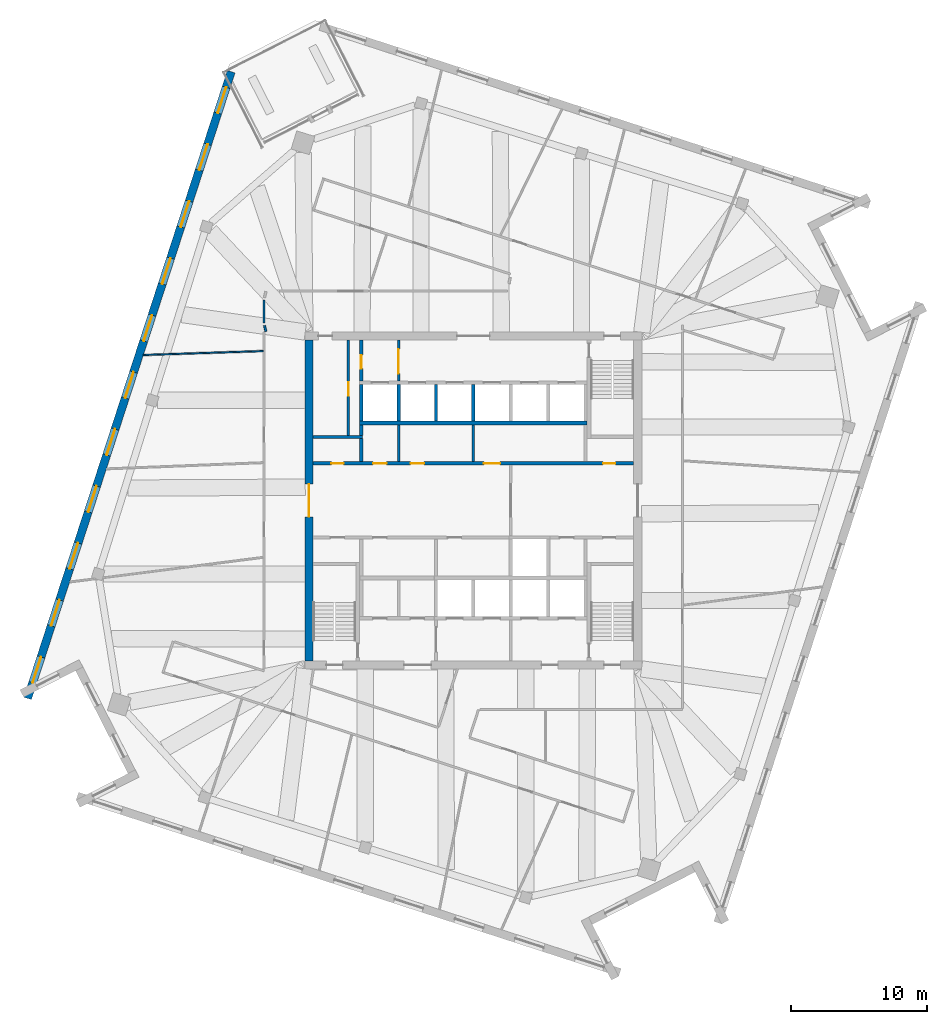
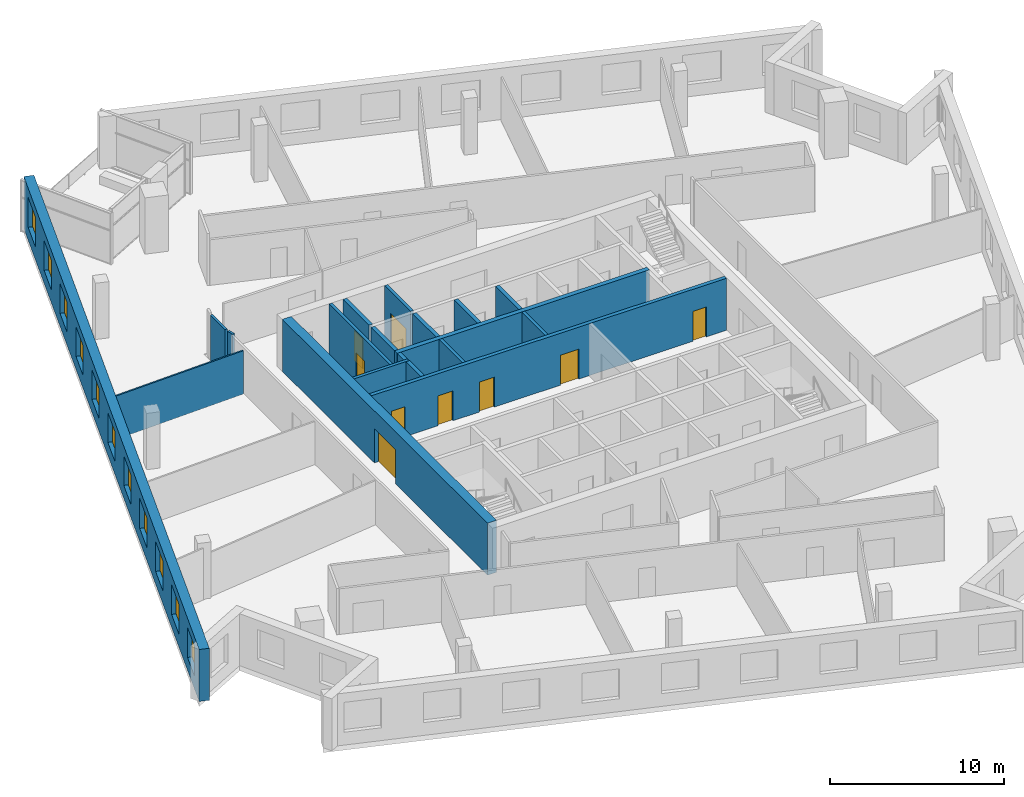
# One storey, part 9 of 13: 19 walls, 11 windows, 9 doors, 20 openings.
"""IFC4 building model written with IfcOpenShell, lengths in metres."""

from ifc_helpers import new_model, si_unit, direction, frame, frame_2d, origin, place, context, subcontext, project, spatial, rectangle, extrude, material, layer, layer_set, type_object, element, fill, save


model = new_model("IFC4")

# Units and contexts
model_context = context("Model", 3, precision=1e-05, world=origin(), true_north=direction((0.0, 1.0)))
body_context = subcontext(model_context, "Body", "Model", "MODEL_VIEW")
ifc_project = project(units=[si_unit("LENGTHUNIT", "METRE"), si_unit("AREAUNIT", "SQUARE_METRE"), si_unit("VOLUMEUNIT", "CUBIC_METRE"), si_unit("PLANEANGLEUNIT", "RADIAN"), si_unit("MASSUNIT", "GRAM", prefix="KILO")], contexts=[model_context])

# Site, building, storey
site_placement = place(None, origin())
site = spatial("IfcSite", under=ifc_project, at=site_placement, CompositionType="ELEMENT")
building_placement = place(site_placement, origin())
building = spatial("IfcBuilding", under=site, at=building_placement, Name="Dilmun Exchange Tower", CompositionType="ELEMENT")
storey_placement = place(building_placement, frame((0.0, 0.0, 320.5)))
storey = spatial("IfcBuildingStorey", under=building, at=storey_placement, Name="L76", CompositionType="ELEMENT", Elevation=320.5)

# Walls
ifc_material_1 = material(Name="Concrete C40/50", Category="concrete")
ifc_layer_1 = layer(ifc_material_1, 0.199951171875)
ifc_layer_set_1 = layer_set([ifc_layer_1], Name="Concrete C40/50")
wall_type_1 = type_object("IfcWallType", Name="Core partition wall 200", PredefinedType="PARTITIONING", material=ifc_layer_set_1)
for number, where, z_axis, x_axis, name in (
    (1, (-5.5, 2.85498046875, 0.0), (0.0, 0.0, 1.0), (0.0, 1.0, 0.0), "L76 core partition wall 15"),
    (2, (0.0, 2.85498046875, 0.0), (0.0, 0.0, 1.0), (0.0, 1.0, 0.0), "L76 core partition wall 16"),
):
    element("IfcWall", number, at=place(storey_placement, frame(where, z_axis=z_axis, x_axis=x_axis)), inside=storey, type_object=wall_type_1, Name=name, PredefinedType="PARTITIONING", context=body_context, shape_type="SweptSolid", body=[
        extrude(rectangle(XDim=2.68994140625, YDim=0.199951171875, at=frame_2d((1.344970703125, 0.0))), origin(), (0.0, 0.0, 1.0), 3.64990234375),
    ])
wall_1_placement = place(storey_placement, frame((-11.794921875, 4.675048828125, 0.0), z_axis=(0.0, 0.0, 1.0), x_axis=(1.0, 0.0, 0.0)))
element("IfcWall", 3, at=wall_1_placement, inside=storey, type_object=wall_type_1, Name="L76 core partition wall 18", PredefinedType="PARTITIONING", context=body_context, shape_type="SweptSolid", body=[
    extrude(rectangle(XDim=3.64501953125, YDim=0.199951171875, at=frame_2d((1.822509765625, 0.0))), origin(), (0.0, 0.0, 1.0), 3.64990234375),
])

# Wall, opening, door
wall_2_placement = place(storey_placement, frame((-9.199951171875, 4.780029296875, 0.0), z_axis=(0.0, 0.0, 1.0), x_axis=(0.0, 1.0, 0.0)))
wall_2 = element("IfcWall", 4, at=wall_2_placement, inside=storey, type_object=wall_type_1, Name="L76 core partition wall 19", PredefinedType="PARTITIONING", context=body_context, shape_type="SweptSolid", body=[
    extrude(rectangle(XDim=7.014892578125, YDim=0.199951171875, at=frame_2d((3.50732421875, 0.0))), origin(), (0.0, 0.0, 1.0), 3.64990234375),
])
opening_1_placement = place(wall_2_placement, frame((2.919921875, 0.0, 0.0)))
opening_1 = element("IfcOpeningElement", 5, at=opening_1_placement, cuts=wall_2, Name="Opening CD4", PredefinedType="OPENING", context=body_context, shape_type="SweptSolid", body=[
    extrude(rectangle(XDim=1.0, YDim=2.10009765625, at=frame_2d((0.5, 1.050048828125))), frame((0.0, 0.10986328125, 0.0), z_axis=(0.0, -1.0, 0.0), x_axis=(1.0, 0.0, 0.0)), (0.0, 0.0, 1.0), 0.219970703125),
])
ifc_material_2 = material(Name="Fire-rated steel door set", Category="steel")
door_type_1 = type_object("IfcDoorType", Name="Core room door 1000x2100", OperationType="SINGLE_SWING_LEFT", PredefinedType="DOOR", material=ifc_material_2)
door_1_placement = place(opening_1_placement, origin())
door_1 = element("IfcDoor", 6, at=door_1_placement, inside=storey, type_object=door_type_1, Name="L76 door Fire safety store", OperationType="SINGLE_SWING_LEFT", OverallHeight=2.10009765625, OverallWidth=1.0, PredefinedType="DOOR", context=body_context, shape_type="SweptSolid", body=[
    extrude(rectangle(XDim=1.0, YDim=2.10009765625, at=frame_2d((0.5, 1.050048828125))), frame((0.0, 0.02490234375, 0.0), z_axis=(0.0, -1.0, 0.0), x_axis=(1.0, 0.0, 0.0)), (0.0, 0.0, 1.0), 0.050048828125),
])
fill(opening_1, door_1)

wall_3_placement = place(storey_placement, frame((-5.5, 8.804931640625, 0.0), z_axis=(0.0, 0.0, 1.0), x_axis=(0.0, 1.0, 0.0)))
wall_3 = element("IfcWall", 7, at=wall_3_placement, inside=storey, type_object=wall_type_1, Name="L76 core partition wall 22", PredefinedType="PARTITIONING", context=body_context, shape_type="SweptSolid", body=[
    extrude(rectangle(XDim=2.989990234375, YDim=0.199951171875, at=frame_2d((1.4951171875, 0.0))), origin(), (0.0, 0.0, 1.0), 3.64990234375),
])
opening_2_placement = place(wall_3_placement, frame((0.532470703125, 0.0, 0.0)))
opening_2 = element("IfcOpeningElement", 8, at=opening_2_placement, cuts=wall_3, Name="Opening CD5", PredefinedType="OPENING", context=body_context, shape_type="SweptSolid", body=[
    extrude(rectangle(XDim=1.800048828125, YDim=2.10009765625, at=frame_2d((0.89990234375, 1.050048828125))), frame((0.0, 0.10986328125, 0.0), z_axis=(0.0, -1.0, 0.0), x_axis=(1.0, 0.0, 0.0)), (0.0, 0.0, 1.0), 0.219970703125),
])
door_type_2 = type_object("IfcDoorType", Name="Stair exit door 1800x2100", OperationType="SINGLE_SWING_LEFT", PredefinedType="DOOR", material=ifc_material_2)
door_2_placement = place(opening_2_placement, origin())
door_2 = element("IfcDoor", 9, at=door_2_placement, inside=storey, type_object=door_type_2, Name="L76 door Lift lobby east", OperationType="SINGLE_SWING_LEFT", OverallHeight=2.10009765625, OverallWidth=1.800048828125, PredefinedType="DOOR", context=body_context, shape_type="SweptSolid", body=[
    extrude(rectangle(XDim=1.800048828125, YDim=2.10009765625, at=frame_2d((0.89990234375, 1.050048828125))), frame((0.0, 0.02490234375, 0.0), z_axis=(0.0, -1.0, 0.0), x_axis=(1.0, 0.0, 0.0)), (0.0, 0.0, 1.0), 0.050048828125),
])
fill(opening_2, door_2)

# Wall, openings, doors
ifc_layer_2 = layer(ifc_material_1, 0.25)
ifc_layer_set_2 = layer_set([ifc_layer_2], Name="Concrete C40/50")
wall_type_2 = type_object("IfcWallType", Name="Core partition wall 250", PredefinedType="PARTITIONING", material=ifc_layer_set_2)
wall_4_placement = place(storey_placement, frame((-11.794921875, 2.72509765625, 0.0), z_axis=(0.0, 0.0, 1.0), x_axis=(1.0, 0.0, 0.0)))
wall_4 = element("IfcWall", 10, at=wall_4_placement, inside=storey, type_object=wall_type_2, Name="L76 core partition wall 13", PredefinedType="PARTITIONING", context=body_context, shape_type="SweptSolid", body=[
    extrude(rectangle(XDim=23.58984375, YDim=0.25, at=frame_2d((11.794921875, 0.0))), origin(), (0.0, 0.0, 1.0), 3.64990234375),
])
opening_3_placement = place(wall_4_placement, frame((21.344970703125, 0.0, 0.0)))
opening_3 = element("IfcOpeningElement", 11, at=opening_3_placement, cuts=wall_4, Name="Opening CD6", PredefinedType="OPENING", context=body_context, shape_type="SweptSolid", body=[
    extrude(rectangle(XDim=0.89990234375, YDim=2.10009765625, at=frame_2d((0.449951171875, 1.050048828125))), frame((0.0, 0.135009765625, 0.0), z_axis=(0.0, -1.0, 0.0), x_axis=(1.0, 0.0, 0.0)), (0.0, 0.0, 1.0), 0.27001953125),
])
opening_4_placement = place(wall_4_placement, frame((1.344970703125, 0.0, 0.0)))
opening_4 = element("IfcOpeningElement", 12, at=opening_4_placement, cuts=wall_4, Name="Opening CD6", PredefinedType="OPENING", context=body_context, shape_type="SweptSolid", body=[
    extrude(rectangle(XDim=0.89990234375, YDim=2.10009765625, at=frame_2d((0.449951171875, 1.050048828125))), frame((0.0, 0.135009765625, 0.0), z_axis=(0.0, -1.0, 0.0), x_axis=(1.0, 0.0, 0.0)), (0.0, 0.0, 1.0), 0.27001953125),
])
opening_5_placement = place(wall_4_placement, frame((4.419921875, 0.0, 0.0)))
opening_5 = element("IfcOpeningElement", 13, at=opening_5_placement, cuts=wall_4, Name="Opening CD4", PredefinedType="OPENING", context=body_context, shape_type="SweptSolid", body=[
    extrude(rectangle(XDim=1.0, YDim=2.10009765625, at=frame_2d((0.5, 1.050048828125))), frame((0.0, 0.135009765625, 0.0), z_axis=(0.0, -1.0, 0.0), x_axis=(1.0, 0.0, 0.0)), (0.0, 0.0, 1.0), 0.27001953125),
])
opening_6_placement = place(wall_4_placement, frame((7.169921875, 0.0, 0.0)))
opening_6 = element("IfcOpeningElement", 14, at=opening_6_placement, cuts=wall_4, Name="Opening CD4", PredefinedType="OPENING", context=body_context, shape_type="SweptSolid", body=[
    extrude(rectangle(XDim=1.0, YDim=2.10009765625, at=frame_2d((0.5, 1.050048828125))), frame((0.0, 0.135009765625, 0.0), z_axis=(0.0, -1.0, 0.0), x_axis=(1.0, 0.0, 0.0)), (0.0, 0.0, 1.0), 0.27001953125),
])
opening_7_placement = place(wall_4_placement, frame((12.570068359375, 0.0, 0.0)))
opening_7 = element("IfcOpeningElement", 15, at=opening_7_placement, cuts=wall_4, Name="Opening CD3", PredefinedType="OPENING", context=body_context, shape_type="SweptSolid", body=[
    extrude(rectangle(XDim=1.199951171875, YDim=2.10009765625, at=frame_2d((0.60009765625, 1.050048828125))), frame((0.0, 0.135009765625, 0.0), z_axis=(0.0, -1.0, 0.0), x_axis=(1.0, 0.0, 0.0)), (0.0, 0.0, 1.0), 0.27001953125),
])
door_3_placement = place(opening_5_placement, origin())
door_3 = element("IfcDoor", 16, at=door_3_placement, inside=storey, type_object=door_type_1, Name="L76 door Comms room", OperationType="SINGLE_SWING_LEFT", OverallHeight=2.10009765625, OverallWidth=1.0, PredefinedType="DOOR", context=body_context, shape_type="SweptSolid", body=[
    extrude(rectangle(XDim=1.0, YDim=2.10009765625, at=frame_2d((0.5, 1.050048828125))), frame((0.0, 0.02490234375, 0.0), z_axis=(0.0, -1.0, 0.0), x_axis=(1.0, 0.0, 0.0)), (0.0, 0.0, 1.0), 0.050048828125),
])
fill(opening_5, door_3)
door_4_placement = place(opening_6_placement, origin())
door_4 = element("IfcDoor", 17, at=door_4_placement, inside=storey, type_object=door_type_1, Name="L76 door Print and mail room", OperationType="SINGLE_SWING_LEFT", OverallHeight=2.10009765625, OverallWidth=1.0, PredefinedType="DOOR", context=body_context, shape_type="SweptSolid", body=[
    extrude(rectangle(XDim=1.0, YDim=2.10009765625, at=frame_2d((0.5, 1.050048828125))), frame((0.0, 0.02490234375, 0.0), z_axis=(0.0, -1.0, 0.0), x_axis=(1.0, 0.0, 0.0)), (0.0, 0.0, 1.0), 0.050048828125),
])
fill(opening_6, door_4)
door_type_3 = type_object("IfcDoorType", Name="Core room door 900x2100", OperationType="SINGLE_SWING_LEFT", PredefinedType="DOOR", material=ifc_material_2)
door_5_placement = place(opening_3_placement, origin())
door_5 = element("IfcDoor", 18, at=door_5_placement, inside=storey, type_object=door_type_3, Name="L76 door Electrical riser", OperationType="SINGLE_SWING_LEFT", OverallHeight=2.10009765625, OverallWidth=0.89990234375, PredefinedType="DOOR", context=body_context, shape_type="SweptSolid", body=[
    extrude(rectangle(XDim=0.89990234375, YDim=2.10009765625, at=frame_2d((0.449951171875, 1.050048828125))), frame((0.0, 0.02490234375, 0.0), z_axis=(0.0, -1.0, 0.0), x_axis=(1.0, 0.0, 0.0)), (0.0, 0.0, 1.0), 0.050048828125),
])
fill(opening_3, door_5)
door_6_placement = place(opening_4_placement, origin())
door_6 = element("IfcDoor", 19, at=door_6_placement, inside=storey, type_object=door_type_3, Name="L76 door Plumbing riser", OperationType="SINGLE_SWING_LEFT", OverallHeight=2.10009765625, OverallWidth=0.89990234375, PredefinedType="DOOR", context=body_context, shape_type="SweptSolid", body=[
    extrude(rectangle(XDim=0.89990234375, YDim=2.10009765625, at=frame_2d((0.449951171875, 1.050048828125))), frame((0.0, 0.02490234375, 0.0), z_axis=(0.0, -1.0, 0.0), x_axis=(1.0, 0.0, 0.0)), (0.0, 0.0, 1.0), 0.050048828125),
])
fill(opening_4, door_6)
door_type_4 = type_object("IfcDoorType", Name="Stair exit door 1200x2100", OperationType="SINGLE_SWING_LEFT", PredefinedType="DOOR", material=ifc_material_2)
door_7_placement = place(opening_7_placement, origin())
door_7 = element("IfcDoor", 20, at=door_7_placement, inside=storey, type_object=door_type_4, Name="L76 door Building management office", OperationType="SINGLE_SWING_LEFT", OverallHeight=2.10009765625, OverallWidth=1.199951171875, PredefinedType="DOOR", context=body_context, shape_type="SweptSolid", body=[
    extrude(rectangle(XDim=1.199951171875, YDim=2.10009765625, at=frame_2d((0.60009765625, 1.050048828125))), frame((0.0, 0.02490234375, 0.0), z_axis=(0.0, -1.0, 0.0), x_axis=(1.0, 0.0, 0.0)), (0.0, 0.0, 1.0), 0.050048828125),
])
fill(opening_7, door_7)

# Walls
wall_5_placement = place(storey_placement, frame((-8.25, 2.85498046875, 0.0), z_axis=(0.0, 0.0, 1.0), x_axis=(0.0, 1.0, 0.0)))
element("IfcWall", 21, at=wall_5_placement, inside=storey, type_object=wall_type_2, Name="L76 core partition wall 14", PredefinedType="PARTITIONING", context=body_context, shape_type="SweptSolid", body=[
    extrude(rectangle(XDim=1.715087890625, YDim=0.25, at=frame_2d((0.857421875, 0.0))), origin(), (0.0, 0.0, 1.0), 3.64990234375),
])
wall_6_placement = place(storey_placement, frame((-8.25, 4.780029296875, 0.0), z_axis=(0.0, 0.0, 1.0), x_axis=(0.0, 1.0, 0.0)))
element("IfcWall", 22, at=wall_6_placement, inside=storey, type_object=wall_type_2, Name="L76 core partition wall 20", PredefinedType="PARTITIONING", context=body_context, shape_type="SweptSolid", body=[
    extrude(rectangle(XDim=0.764892578125, YDim=0.25, at=frame_2d((0.38232421875, 0.0))), origin(), (0.0, 0.0, 1.0), 3.64990234375),
])

# Wall, opening, door
wall_7_placement = place(storey_placement, frame((-8.25, 8.804931640625, 0.0), z_axis=(0.0, 0.0, 1.0), x_axis=(0.0, 1.0, 0.0)))
wall_7 = element("IfcWall", 23, at=wall_7_placement, inside=storey, type_object=wall_type_2, Name="L76 core partition wall 21", PredefinedType="PARTITIONING", context=body_context, shape_type="SweptSolid", body=[
    extrude(rectangle(XDim=2.989990234375, YDim=0.25, at=frame_2d((1.4951171875, 0.0))), origin(), (0.0, 0.0, 1.0), 3.64990234375),
])
opening_8_placement = place(wall_7_placement, frame((0.89501953125, 0.0, 0.0)))
opening_8 = element("IfcOpeningElement", 24, at=opening_8_placement, cuts=wall_7, Name="Opening CD4", PredefinedType="OPENING", context=body_context, shape_type="SweptSolid", body=[
    extrude(rectangle(XDim=1.0, YDim=2.10009765625, at=frame_2d((0.5, 1.050048828125))), frame((0.0, 0.135009765625, 0.0), z_axis=(0.0, -1.0, 0.0), x_axis=(1.0, 0.0, 0.0)), (0.0, 0.0, 1.0), 0.27001953125),
])
door_8_placement = place(opening_8_placement, origin())
door_8 = element("IfcDoor", 25, at=door_8_placement, inside=storey, type_object=door_type_1, Name="L76 door Tenant services room", OperationType="SINGLE_SWING_LEFT", OverallHeight=2.10009765625, OverallWidth=1.0, PredefinedType="DOOR", context=body_context, shape_type="SweptSolid", body=[
    extrude(rectangle(XDim=1.0, YDim=2.10009765625, at=frame_2d((0.5, 1.050048828125))), frame((0.0, 0.02490234375, 0.0), z_axis=(0.0, -1.0, 0.0), x_axis=(1.0, 0.0, 0.0)), (0.0, 0.0, 1.0), 0.050048828125),
])
fill(opening_8, door_8)

ifc_material_3 = material(Name="Concrete C50/60", Category="concrete")
ifc_layer_3 = layer(ifc_material_3, 0.60009765625)
ifc_layer_set_3 = layer_set([ifc_layer_3], Name="Concrete C50/60")
wall_type_3 = type_object("IfcWallType", Name="Core shear wall 600 Concrete C50/60", PredefinedType="SHEAR", material=ifc_layer_set_3)
wall_8_placement = place(storey_placement, frame((-12.10009765625, -11.800048828125, 0.0), z_axis=(0.0, 0.0, 1.0), x_axis=(0.0, 1.0, 0.0)))
wall_8 = element("IfcWall", 26, at=wall_8_placement, inside=storey, type_object=wall_type_3, Name="L76 core shear wall W", PredefinedType="SHEAR", context=body_context, shape_type="SweptSolid", body=[
    extrude(rectangle(XDim=23.60009765625, YDim=0.60009765625, at=frame_2d((11.800048828125, 0.0))), origin(), (0.0, 0.0, 1.0), 3.64990234375),
])
opening_9_placement = place(wall_8_placement, frame((10.60009765625, 0.0, 0.0)))
opening_9 = element("IfcOpeningElement", 27, at=opening_9_placement, cuts=wall_8, Name="Opening CD1", PredefinedType="OPENING", context=body_context, shape_type="SweptSolid", body=[
    extrude(rectangle(XDim=2.39990234375, YDim=2.39990234375, at=frame_2d((1.199951171875, 1.199951171875))), frame((0.0, 0.31005859375, 0.0), z_axis=(0.0, -1.0, 0.0), x_axis=(1.0, 0.0, 0.0)), (0.0, 0.0, 1.0), 0.6201171875),
])
door_type_5 = type_object("IfcDoorType", Name="Core lobby door 2400x2400", OperationType="DOUBLE_DOOR_DOUBLE_SWING", PredefinedType="DOOR", material=ifc_material_2)
door_9_placement = place(opening_9_placement, origin())
door_9 = element("IfcDoor", 28, at=door_9_placement, inside=storey, type_object=door_type_5, Name="L76 door Central lift lobby", OperationType="SINGLE_SWING_LEFT", OverallHeight=2.39990234375, OverallWidth=2.39990234375, PredefinedType="DOOR", context=body_context, shape_type="SweptSolid", body=[
    extrude(rectangle(XDim=2.39990234375, YDim=2.39990234375, at=frame_2d((1.199951171875, 1.199951171875))), frame((0.0, 0.02490234375, 0.0), z_axis=(0.0, -1.0, 0.0), x_axis=(1.0, 0.0, 0.0)), (0.0, 0.0, 1.0), 0.050048828125),
])
fill(opening_9, door_9)

# Walls
ifc_material_4 = material(Name="Corridor wall 150")
ifc_layer_4 = layer(ifc_material_4, 0.14990234375)
ifc_layer_set_4 = layer_set([ifc_layer_4], Name="Corridor wall 150")
wall_type_4 = type_object("IfcWallType", Name="Corridor wall 150", PredefinedType="PARTITIONING", material=ifc_layer_set_4)
wall_9_placement = place(storey_placement, frame((-15.39990234375, 13.050048828125, 0.0), z_axis=(0.0, 0.0, 1.0), x_axis=(0.0, 1.0, 0.0)))
element("IfcWall", 29, at=wall_9_placement, inside=storey, type_object=wall_type_4, Name="Corridor wall", PredefinedType="PARTITIONING", context=body_context, shape_type="SweptSolid", body=[
    extrude(rectangle(XDim=1.699951171875, YDim=0.14990234375, at=frame_2d((0.85009765625, 0.0))), origin(), (0.0, 0.0, 1.0), 3.25),
])
wall_10_placement = place(storey_placement, frame((-15.263427734375, 12.440185546875, 0.0), z_axis=(0.0, 0.0, 1.0), x_axis=(-0.249928977064, 0.968264171817, 0.0)))
element("IfcWall", 30, at=wall_10_placement, inside=storey, type_object=wall_type_4, Name="Corridor wall", PredefinedType="PARTITIONING", context=body_context, shape_type="SweptSolid", body=[
    extrude(rectangle(XDim=0.434814453125, YDim=0.14990234375, at=frame_2d((0.21728515625, 0.0))), origin(), (0.0, 0.0, 1.0), 3.25),
])
ifc_layer_5 = layer(ifc_material_1, 0.300048828125)
ifc_layer_set_5 = layer_set([ifc_layer_5], Name="Concrete C40/50")
wall_type_5 = type_object("IfcWallType", Name="Lift shaft shared wall 300", PredefinedType="SOLIDWALL", material=ifc_layer_set_5)
wall_11_placement = place(storey_placement, frame((-8.375, 5.699951171875, 0.0), z_axis=(0.0, 0.0, 1.0), x_axis=(1.0, 0.0, 0.0)))
element("IfcWall", 31, at=wall_11_placement, inside=storey, type_object=wall_type_5, Name="L76 lift shaft rear wall N", PredefinedType="SOLIDWALL", context=body_context, shape_type="SweptSolid", body=[
    extrude(rectangle(XDim=16.75, YDim=0.300048828125, at=frame_2d((8.375, 0.0))), origin(), (0.0, 0.0, 1.0), 3.64990234375),
])
ifc_layer_6 = layer(ifc_material_1, 0.25)
ifc_layer_set_6 = layer_set([ifc_layer_6], Name="Concrete C40/50")
wall_type_6 = type_object("IfcWallType", Name="Lift shaft wall 250", PredefinedType="SOLIDWALL", material=ifc_layer_set_6)
for number, where, z_axis, x_axis, name in (
    (32, (-8.25, 5.85009765625, 0.0), (0.0, 0.0, 1.0), (0.0, 1.0, 0.0), "L76 lift shaft divider N20"),
    (33, (-5.5, 5.85009765625, 0.0), (0.0, 0.0, 1.0), (0.0, 1.0, 0.0), "L76 lift shaft divider N21"),
    (34, (-2.75, 5.85009765625, 0.0), (0.0, 0.0, 1.0), (0.0, 1.0, 0.0), "L76 lift shaft divider N22"),
    (35, (0.0, 5.85009765625, 0.0), (0.0, 0.0, 1.0), (0.0, 1.0, 0.0), "L76 lift shaft divider N23"),
):
    element("IfcWall", number, at=place(storey_placement, frame(where, z_axis=z_axis, x_axis=x_axis)), inside=storey, type_object=wall_type_6, Name=name, PredefinedType="SOLIDWALL", context=body_context, shape_type="SweptSolid", body=[
        extrude(rectangle(XDim=2.699951171875, YDim=0.25, at=frame_2d((1.35009765625, 0.0))), origin(), (0.0, 0.0, 1.0), 3.64990234375),
    ])
ifc_material_5 = material(Name="Partition 100")
ifc_layer_7 = layer(ifc_material_5, 0.10009765625)
ifc_layer_set_7 = layer_set([ifc_layer_7], Name="Partition 100")
wall_type_7 = type_object("IfcWallType", Name="Partition 100", PredefinedType="PARTITIONING", material=ifc_layer_set_7)
wall_12_placement = place(storey_placement, frame((-24.27880859375, 10.703125, 0.0), z_axis=(0.0, 0.0, 1.0), x_axis=(0.999452969423, 0.033072071465, 0.0)))
element("IfcWall", 36, at=wall_12_placement, inside=storey, type_object=wall_type_7, Name="Partition", PredefinedType="PARTITIONING", context=body_context, shape_type="SweptSolid", body=[
    extrude(rectangle(XDim=8.806884765625, YDim=0.10009765625, at=frame_2d((4.4033203125, 0.0))), origin(), (0.0, 0.0, 1.0), 3.050048828125),
])

# Wall, openings, windows
ifc_material_6 = material(Name="Precast concrete C50/60", Category="concrete")
ifc_layer_8 = layer(ifc_material_6, 0.60009765625)
ifc_layer_set_8 = layer_set([ifc_layer_8], Name="Precast concrete C50/60")
wall_type_8 = type_object("IfcWallType", Name="Precast stone-clad wall 600", PredefinedType="STANDARD", material=ifc_layer_set_8)
wall_13_placement = place(storey_placement, frame((-17.822265625, 31.551513671875, 0.0), z_axis=(0.0, 0.0, 1.0), x_axis=(-0.309018218247, -0.951056118634, 0.0)))
wall_13 = element("IfcWall", 37, at=wall_13_placement, inside=storey, type_object=wall_type_8, Name="Facade wall L76-03", PredefinedType="STANDARD", context=body_context, shape_type="SweptSolid", body=[
    extrude(rectangle(XDim=48.489501953125, YDim=0.60009765625, at=frame_2d((24.24462890625, 0.0))), origin(), (0.0, 0.0, 1.0), 3.64990234375),
])
opening_10_placement = place(wall_13_placement, frame((1.2041015625, 0.0, 0.89990234375)))
opening_10 = element("IfcOpeningElement", 38, at=opening_10_placement, cuts=wall_13, Name="Opening W200-210", PredefinedType="OPENING", context=body_context, shape_type="SweptSolid", body=[
    extrude(rectangle(XDim=2.0, YDim=2.10009765625, at=frame_2d((1.0, 1.050048828125))), frame((0.0, 0.31005859375, 0.0), z_axis=(0.0, -1.0, 0.0), x_axis=(1.0, 0.0, 0.0)), (0.0, 0.0, 1.0), 0.6201171875),
])
opening_11_placement = place(wall_13_placement, frame((5.6123046875, 0.0, 0.89990234375)))
opening_11 = element("IfcOpeningElement", 39, at=opening_11_placement, cuts=wall_13, Name="Opening W200-210", PredefinedType="OPENING", context=body_context, shape_type="SweptSolid", body=[
    extrude(rectangle(XDim=2.0, YDim=2.10009765625, at=frame_2d((1.0, 1.050048828125))), frame((0.0, 0.31005859375, 0.0), z_axis=(0.0, -1.0, 0.0), x_axis=(1.0, 0.0, 0.0)), (0.0, 0.0, 1.0), 0.6201171875),
])
opening_12_placement = place(wall_13_placement, frame((10.0205078125, 0.0, 0.89990234375)))
opening_12 = element("IfcOpeningElement", 40, at=opening_12_placement, cuts=wall_13, Name="Opening W200-210", PredefinedType="OPENING", context=body_context, shape_type="SweptSolid", body=[
    extrude(rectangle(XDim=2.0, YDim=2.10009765625, at=frame_2d((1.0, 1.050048828125))), frame((0.0, 0.31005859375, 0.0), z_axis=(0.0, -1.0, 0.0), x_axis=(1.0, 0.0, 0.0)), (0.0, 0.0, 1.0), 0.6201171875),
])
opening_13_placement = place(wall_13_placement, frame((14.428466796875, 0.0, 0.89990234375)))
opening_13 = element("IfcOpeningElement", 41, at=opening_13_placement, cuts=wall_13, Name="Opening W200-210", PredefinedType="OPENING", context=body_context, shape_type="SweptSolid", body=[
    extrude(rectangle(XDim=2.0, YDim=2.10009765625, at=frame_2d((1.0, 1.050048828125))), frame((0.0, 0.31005859375, 0.0), z_axis=(0.0, -1.0, 0.0), x_axis=(1.0, 0.0, 0.0)), (0.0, 0.0, 1.0), 0.6201171875),
])
opening_14_placement = place(wall_13_placement, frame((18.836669921875, 0.0, 0.89990234375)))
opening_14 = element("IfcOpeningElement", 42, at=opening_14_placement, cuts=wall_13, Name="Opening W200-210", PredefinedType="OPENING", context=body_context, shape_type="SweptSolid", body=[
    extrude(rectangle(XDim=2.0, YDim=2.10009765625, at=frame_2d((1.0, 1.050048828125))), frame((0.0, 0.31005859375, 0.0), z_axis=(0.0, -1.0, 0.0), x_axis=(1.0, 0.0, 0.0)), (0.0, 0.0, 1.0), 0.6201171875),
])
opening_15_placement = place(wall_13_placement, frame((23.244873046875, 0.0, 0.89990234375)))
opening_15 = element("IfcOpeningElement", 43, at=opening_15_placement, cuts=wall_13, Name="Opening W200-210", PredefinedType="OPENING", context=body_context, shape_type="SweptSolid", body=[
    extrude(rectangle(XDim=2.0, YDim=2.10009765625, at=frame_2d((1.0, 1.050048828125))), frame((0.0, 0.31005859375, 0.0), z_axis=(0.0, -1.0, 0.0), x_axis=(1.0, 0.0, 0.0)), (0.0, 0.0, 1.0), 0.6201171875),
])
opening_16_placement = place(wall_13_placement, frame((27.65283203125, 0.0, 0.89990234375)))
opening_16 = element("IfcOpeningElement", 44, at=opening_16_placement, cuts=wall_13, Name="Opening W200-210", PredefinedType="OPENING", context=body_context, shape_type="SweptSolid", body=[
    extrude(rectangle(XDim=2.0, YDim=2.10009765625, at=frame_2d((1.0, 1.050048828125))), frame((0.0, 0.31005859375, 0.0), z_axis=(0.0, -1.0, 0.0), x_axis=(1.0, 0.0, 0.0)), (0.0, 0.0, 1.0), 0.6201171875),
])
opening_17_placement = place(wall_13_placement, frame((32.06103515625, 0.0, 0.89990234375)))
opening_17 = element("IfcOpeningElement", 45, at=opening_17_placement, cuts=wall_13, Name="Opening W200-210", PredefinedType="OPENING", context=body_context, shape_type="SweptSolid", body=[
    extrude(rectangle(XDim=2.0, YDim=2.10009765625, at=frame_2d((1.0, 1.050048828125))), frame((0.0, 0.31005859375, 0.0), z_axis=(0.0, -1.0, 0.0), x_axis=(1.0, 0.0, 0.0)), (0.0, 0.0, 1.0), 0.6201171875),
])
opening_18_placement = place(wall_13_placement, frame((36.46923828125, 0.0, 0.89990234375)))
opening_18 = element("IfcOpeningElement", 46, at=opening_18_placement, cuts=wall_13, Name="Opening W200-210", PredefinedType="OPENING", context=body_context, shape_type="SweptSolid", body=[
    extrude(rectangle(XDim=2.0, YDim=2.10009765625, at=frame_2d((1.0, 1.050048828125))), frame((0.0, 0.31005859375, 0.0), z_axis=(0.0, -1.0, 0.0), x_axis=(1.0, 0.0, 0.0)), (0.0, 0.0, 1.0), 0.6201171875),
])
opening_19_placement = place(wall_13_placement, frame((40.87744140625, 0.0, 0.89990234375)))
opening_19 = element("IfcOpeningElement", 47, at=opening_19_placement, cuts=wall_13, Name="Opening W200-210", PredefinedType="OPENING", context=body_context, shape_type="SweptSolid", body=[
    extrude(rectangle(XDim=2.0, YDim=2.10009765625, at=frame_2d((1.0, 1.050048828125))), frame((0.0, 0.31005859375, 0.0), z_axis=(0.0, -1.0, 0.0), x_axis=(1.0, 0.0, 0.0)), (0.0, 0.0, 1.0), 0.6201171875),
])
opening_20_placement = place(wall_13_placement, frame((45.285400390625, 0.0, 0.89990234375)))
opening_20 = element("IfcOpeningElement", 48, at=opening_20_placement, cuts=wall_13, Name="Opening W200-210", PredefinedType="OPENING", context=body_context, shape_type="SweptSolid", body=[
    extrude(rectangle(XDim=2.0, YDim=2.10009765625, at=frame_2d((1.0, 1.050048828125))), frame((0.0, 0.31005859375, 0.0), z_axis=(0.0, -1.0, 0.0), x_axis=(1.0, 0.0, 0.0)), (0.0, 0.0, 1.0), 0.6201171875),
])
ifc_material_7 = material(Name="Clear low-emissivity glass in aluminium frame", Category="aluminium")
window_type = type_object("IfcWindowType", Name="Punched window 2000 x 2100", PartitioningType="DOUBLE_PANEL_VERTICAL", PredefinedType="WINDOW", material=ifc_material_7)
window_1_placement = place(opening_10_placement, origin())
window_1 = element("IfcWindow", 49, at=window_1_placement, inside=storey, type_object=window_type, Name="Window 4.1", OverallHeight=2.10009765625, OverallWidth=2.0, PartitioningType="SINGLE_PANEL", PredefinedType="WINDOW", context=body_context, shape_type="SweptSolid", body=[
    extrude(rectangle(XDim=2.0, YDim=2.10009765625, at=frame_2d((1.0, 1.050048828125))), frame((0.0, 0.030029296875, 0.0), z_axis=(0.0, -1.0, 0.0), x_axis=(1.0, 0.0, 0.0)), (0.0, 0.0, 1.0), 0.06005859375),
])
fill(opening_10, window_1)
window_2_placement = place(opening_11_placement, origin())
window_2 = element("IfcWindow", 50, at=window_2_placement, inside=storey, type_object=window_type, Name="Window 4.2", OverallHeight=2.10009765625, OverallWidth=2.0, PartitioningType="SINGLE_PANEL", PredefinedType="WINDOW", context=body_context, shape_type="SweptSolid", body=[
    extrude(rectangle(XDim=2.0, YDim=2.10009765625, at=frame_2d((1.0, 1.050048828125))), frame((0.0, 0.030029296875, 0.0), z_axis=(0.0, -1.0, 0.0), x_axis=(1.0, 0.0, 0.0)), (0.0, 0.0, 1.0), 0.06005859375),
])
fill(opening_11, window_2)
window_3_placement = place(opening_12_placement, origin())
window_3 = element("IfcWindow", 51, at=window_3_placement, inside=storey, type_object=window_type, Name="Window 4.3", OverallHeight=2.10009765625, OverallWidth=2.0, PartitioningType="SINGLE_PANEL", PredefinedType="WINDOW", context=body_context, shape_type="SweptSolid", body=[
    extrude(rectangle(XDim=2.0, YDim=2.10009765625, at=frame_2d((1.0, 1.050048828125))), frame((0.0, 0.030029296875, 0.0), z_axis=(0.0, -1.0, 0.0), x_axis=(1.0, 0.0, 0.0)), (0.0, 0.0, 1.0), 0.06005859375),
])
fill(opening_12, window_3)
window_4_placement = place(opening_13_placement, origin())
window_4 = element("IfcWindow", 52, at=window_4_placement, inside=storey, type_object=window_type, Name="Window 4.4", OverallHeight=2.10009765625, OverallWidth=2.0, PartitioningType="SINGLE_PANEL", PredefinedType="WINDOW", context=body_context, shape_type="SweptSolid", body=[
    extrude(rectangle(XDim=2.0, YDim=2.10009765625, at=frame_2d((1.0, 1.050048828125))), frame((0.0, 0.030029296875, 0.0), z_axis=(0.0, -1.0, 0.0), x_axis=(1.0, 0.0, 0.0)), (0.0, 0.0, 1.0), 0.06005859375),
])
fill(opening_13, window_4)
window_5_placement = place(opening_14_placement, origin())
window_5 = element("IfcWindow", 53, at=window_5_placement, inside=storey, type_object=window_type, Name="Window 4.5", OverallHeight=2.10009765625, OverallWidth=2.0, PartitioningType="SINGLE_PANEL", PredefinedType="WINDOW", context=body_context, shape_type="SweptSolid", body=[
    extrude(rectangle(XDim=2.0, YDim=2.10009765625, at=frame_2d((1.0, 1.050048828125))), frame((0.0, 0.030029296875, 0.0), z_axis=(0.0, -1.0, 0.0), x_axis=(1.0, 0.0, 0.0)), (0.0, 0.0, 1.0), 0.06005859375),
])
fill(opening_14, window_5)
window_6_placement = place(opening_15_placement, origin())
window_6 = element("IfcWindow", 54, at=window_6_placement, inside=storey, type_object=window_type, Name="Window 4.6", OverallHeight=2.10009765625, OverallWidth=2.0, PartitioningType="SINGLE_PANEL", PredefinedType="WINDOW", context=body_context, shape_type="SweptSolid", body=[
    extrude(rectangle(XDim=2.0, YDim=2.10009765625, at=frame_2d((1.0, 1.050048828125))), frame((0.0, 0.030029296875, 0.0), z_axis=(0.0, -1.0, 0.0), x_axis=(1.0, 0.0, 0.0)), (0.0, 0.0, 1.0), 0.06005859375),
])
fill(opening_15, window_6)
window_7_placement = place(opening_16_placement, origin())
window_7 = element("IfcWindow", 55, at=window_7_placement, inside=storey, type_object=window_type, Name="Window 4.7", OverallHeight=2.10009765625, OverallWidth=2.0, PartitioningType="SINGLE_PANEL", PredefinedType="WINDOW", context=body_context, shape_type="SweptSolid", body=[
    extrude(rectangle(XDim=2.0, YDim=2.10009765625, at=frame_2d((1.0, 1.050048828125))), frame((0.0, 0.030029296875, 0.0), z_axis=(0.0, -1.0, 0.0), x_axis=(1.0, 0.0, 0.0)), (0.0, 0.0, 1.0), 0.06005859375),
])
fill(opening_16, window_7)
window_8_placement = place(opening_17_placement, origin())
window_8 = element("IfcWindow", 56, at=window_8_placement, inside=storey, type_object=window_type, Name="Window 4.8", OverallHeight=2.10009765625, OverallWidth=2.0, PartitioningType="SINGLE_PANEL", PredefinedType="WINDOW", context=body_context, shape_type="SweptSolid", body=[
    extrude(rectangle(XDim=2.0, YDim=2.10009765625, at=frame_2d((1.0, 1.050048828125))), frame((0.0, 0.030029296875, 0.0), z_axis=(0.0, -1.0, 0.0), x_axis=(1.0, 0.0, 0.0)), (0.0, 0.0, 1.0), 0.06005859375),
])
fill(opening_17, window_8)
window_9_placement = place(opening_18_placement, origin())
window_9 = element("IfcWindow", 57, at=window_9_placement, inside=storey, type_object=window_type, Name="Window 4.9", OverallHeight=2.10009765625, OverallWidth=2.0, PartitioningType="SINGLE_PANEL", PredefinedType="WINDOW", context=body_context, shape_type="SweptSolid", body=[
    extrude(rectangle(XDim=2.0, YDim=2.10009765625, at=frame_2d((1.0, 1.050048828125))), frame((0.0, 0.030029296875, 0.0), z_axis=(0.0, -1.0, 0.0), x_axis=(1.0, 0.0, 0.0)), (0.0, 0.0, 1.0), 0.06005859375),
])
fill(opening_18, window_9)
window_10_placement = place(opening_19_placement, origin())
window_10 = element("IfcWindow", 58, at=window_10_placement, inside=storey, type_object=window_type, Name="Window 4.10", OverallHeight=2.10009765625, OverallWidth=2.0, PartitioningType="SINGLE_PANEL", PredefinedType="WINDOW", context=body_context, shape_type="SweptSolid", body=[
    extrude(rectangle(XDim=2.0, YDim=2.10009765625, at=frame_2d((1.0, 1.050048828125))), frame((0.0, 0.030029296875, 0.0), z_axis=(0.0, -1.0, 0.0), x_axis=(1.0, 0.0, 0.0)), (0.0, 0.0, 1.0), 0.06005859375),
])
fill(opening_19, window_10)
window_11_placement = place(opening_20_placement, origin())
window_11 = element("IfcWindow", 59, at=window_11_placement, inside=storey, type_object=window_type, Name="Window 4.11", OverallHeight=2.10009765625, OverallWidth=2.0, PartitioningType="SINGLE_PANEL", PredefinedType="WINDOW", context=body_context, shape_type="SweptSolid", body=[
    extrude(rectangle(XDim=2.0, YDim=2.10009765625, at=frame_2d((1.0, 1.050048828125))), frame((0.0, 0.030029296875, 0.0), z_axis=(0.0, -1.0, 0.0), x_axis=(1.0, 0.0, 0.0)), (0.0, 0.0, 1.0), 0.06005859375),
])
fill(opening_20, window_11)

save(model, "model.ifc")
